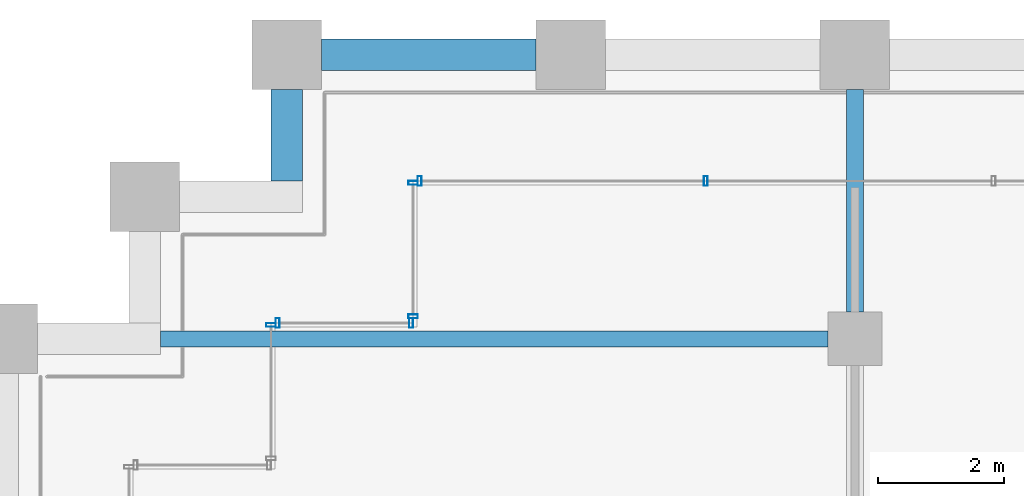
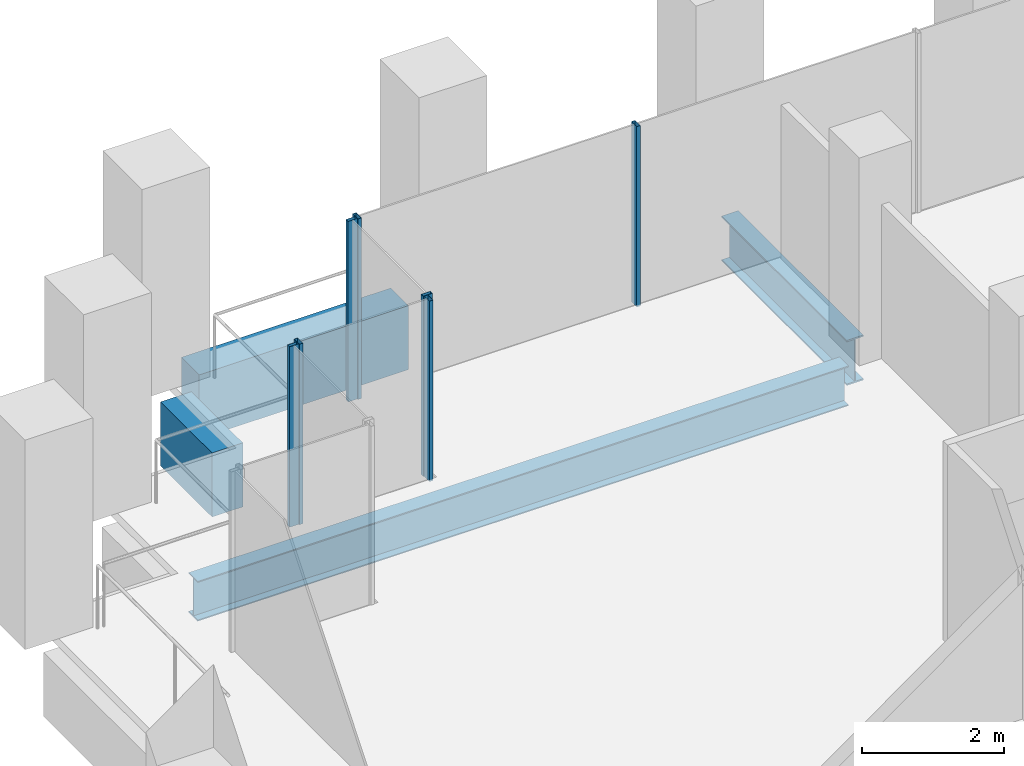
# One storey, part 26 of 56: 7 members, 4 beams, 4 elements without a shape of their own.
"""IFC4 building model written with IfcOpenShell, lengths in metres."""

from ifc_helpers import new_model, si_unit, direction, frame, origin, origin_2d, place, context, subcontext, project, spatial, rectangle, hollow_rectangle, i_section, extrude, material, material_profile, profile_set, type_object, element, aggregate, save


model = new_model("IFC4")

# Units and contexts
model_context = context("Model", 3, precision=1e-05, world=origin(), true_north=direction((0.0, 1.0)))
body_context = subcontext(model_context, "Body", "Model", "MODEL_VIEW")
ifc_project = project(units=[si_unit("LENGTHUNIT", "METRE"), si_unit("AREAUNIT", "SQUARE_METRE"), si_unit("VOLUMEUNIT", "CUBIC_METRE"), si_unit("PLANEANGLEUNIT", "RADIAN"), si_unit("MASSUNIT", "GRAM", prefix="KILO")], contexts=[model_context])

# Site, building, storey
site_placement = place(None, origin())
site = spatial("IfcSite", under=ifc_project, at=site_placement, CompositionType="ELEMENT")
building_placement = place(site_placement, origin())
building = spatial("IfcBuilding", under=site, at=building_placement, Name="Altepetl Exchange Towers", CompositionType="ELEMENT")
storey_placement = place(building_placement, frame((0.0, 0.0, 54.60009765625)))
storey = spatial("IfcBuildingStorey", under=building, at=storey_placement, Name="L12", CompositionType="ELEMENT", Elevation=54.60009765625)

# Beams
ifc_material_1 = material(Name="Steel S355", Category="steel")
ifc_material_profile_1 = material_profile(ifc_material_1, i_section(OverallWidth=0.25390625, OverallDepth=0.68408203125, WebThickness=0.012451171875, FlangeThickness=0.018798828125, at=origin_2d()), Name="W27X94")
ifc_profile_set_1 = profile_set([ifc_material_profile_1], Name="Steel S355")
beam_type_1 = type_object("IfcBeamType", Name="Floor beam W27X94", PredefinedType="BEAM", material=ifc_profile_set_1)
beam_1_placement = place(storey_placement, frame((29.5, 67.5, -0.4921875), z_axis=(1.0, 0.0, 0.0), x_axis=(0.0, 1.0, 0.0)))
element("IfcBeam", 1, at=beam_1_placement, inside=storey, type_object=beam_type_1, Name="bm:A:L12:023", PredefinedType="BEAM", context=body_context, shape_type="SweptSolid", body=[
    extrude(i_section(OverallWidth=0.25390625, OverallDepth=0.68408203125, WebThickness=0.012451171875, FlangeThickness=0.018798828125, at=origin_2d()), origin(), (0.0, 0.0, 1.0), 10.574951171875),
])
ifc_material_profile_2 = material_profile(ifc_material_1, i_section(OverallWidth=0.26806640625, OverallDepth=0.77392578125, WebThickness=0.015380859375, FlangeThickness=0.025390625, at=origin_2d()), Name="W30X132")
ifc_profile_set_2 = profile_set([ifc_material_profile_2], Name="Steel S355")
beam_type_2 = type_object("IfcBeamType", Name="Girder W30X132", PredefinedType="BEAM", material=ifc_profile_set_2)
beam_2_placement = place(storey_placement, frame((40.5, 71.449951171875, -0.537109375), z_axis=(0.0, -1.0, 0.0), x_axis=(1.0, 0.0, 0.0)))
element("IfcBeam", 2, at=beam_2_placement, inside=storey, type_object=beam_type_2, Name="gd:A:L12:003", PredefinedType="BEAM", context=body_context, shape_type="SweptSolid", body=[
    extrude(i_section(OverallWidth=0.26806640625, OverallDepth=0.77392578125, WebThickness=0.015380859375, FlangeThickness=0.025390625, at=origin_2d()), origin(), (0.0, 0.0, 1.0), 3.52490234375),
])

# Curtain wall, members
ifc_material_2 = material(Name="Aluminium 6063-T6 glazing", Category="aluminium")
curtain_wall_type = type_object("IfcCurtainWallType", Name="Loggia glazing system", PredefinedType="NOTDEFINED", material=ifc_material_2)
curtain_wall_1_placement = place(storey_placement, origin())
curtain_wall_1 = element("IfcCurtainWall", 3, at=curtain_wall_1_placement, inside=storey, type_object=curtain_wall_type, Name="CW1 run", PredefinedType="NOTDEFINED")
ifc_material_3 = material(Name="Aluminium 6063-T6", Category="aluminium")
ifc_material_profile_3 = material_profile(ifc_material_3, hollow_rectangle(XDim=0.06005859375, YDim=0.14990234375, WallThickness=0.0029296875, at=origin_2d()), Name="Mullion 60x150 aluminium")
ifc_profile_set_3 = profile_set([ifc_material_profile_3], Name="Aluminium 6063-T6")
member_type = type_object("IfcMemberType", Name="Mullion 60x150 aluminium", PredefinedType="MULLION", material=ifc_profile_set_3)
member_1_placement = place(storey_placement, frame((38.1357421875, 70.0, 0.0), z_axis=(0.0, 0.0, 1.0), x_axis=(-1.0, 0.0, 0.0)))
member_1 = element("IfcMember", 4, at=member_1_placement, type_object=member_type, Name="MU1 mullion", PredefinedType="MULLION", context=body_context, shape_type="SweptSolid", body=[
    extrude(hollow_rectangle(XDim=0.06005859375, YDim=0.14990234375, WallThickness=0.0029296875, at=origin_2d()), origin(), (0.0, 0.0, 1.0), 3.099853515625),
])
member_2_placement = place(storey_placement, frame((33.60498046875, 70.0, 0.0), z_axis=(0.0, 0.0, 1.0), x_axis=(-1.0, 0.0, 0.0)))
member_2 = element("IfcMember", 5, at=member_2_placement, type_object=member_type, Name="MU1 mullion", PredefinedType="MULLION", context=body_context, shape_type="SweptSolid", body=[
    extrude(hollow_rectangle(XDim=0.06005859375, YDim=0.14990234375, WallThickness=0.0029296875, at=origin_2d()), origin(), (0.0, 0.0, 1.0), 3.099853515625),
])
aggregate(curtain_wall_1, [member_1, member_2])

curtain_wall_2_placement = place(storey_placement, origin())
curtain_wall_2 = element("IfcCurtainWall", 6, at=curtain_wall_2_placement, inside=storey, type_object=curtain_wall_type, Name="CW1 run", PredefinedType="NOTDEFINED")
member_3_placement = place(storey_placement, frame((33.5, 69.969970703125, 0.0), z_axis=(0.0, 0.0, 1.0), x_axis=(0.0, -1.0, 0.0)))
member_3 = element("IfcMember", 7, at=member_3_placement, type_object=member_type, Name="MU1 mullion", PredefinedType="MULLION", context=body_context, shape_type="SweptSolid", body=[
    extrude(hollow_rectangle(XDim=0.06005859375, YDim=0.14990234375, WallThickness=0.0029296875, at=origin_2d()), origin(), (0.0, 0.0, 1.0), 3.099853515625),
])
member_4_placement = place(storey_placement, frame((33.5, 67.85498046875, 0.0), z_axis=(0.0, 0.0, 1.0), x_axis=(0.0, -1.0, 0.0)))
member_4 = element("IfcMember", 8, at=member_4_placement, type_object=member_type, Name="MU1 mullion", PredefinedType="MULLION", context=body_context, shape_type="SweptSolid", body=[
    extrude(hollow_rectangle(XDim=0.06005859375, YDim=0.14990234375, WallThickness=0.0029296875, at=origin_2d()), origin(), (0.0, 0.0, 1.0), 3.099853515625),
])
aggregate(curtain_wall_2, [member_3, member_4])

curtain_wall_3_placement = place(storey_placement, origin())
curtain_wall_3 = element("IfcCurtainWall", 9, at=curtain_wall_3_placement, inside=storey, type_object=curtain_wall_type, Name="CW1 run", PredefinedType="NOTDEFINED")
member_5_placement = place(storey_placement, frame((33.469970703125, 67.75, 0.0), z_axis=(0.0, 0.0, 1.0), x_axis=(-1.0, 0.0, 0.0)))
member_5 = element("IfcMember", 10, at=member_5_placement, type_object=member_type, Name="MU1 mullion", PredefinedType="MULLION", context=body_context, shape_type="SweptSolid", body=[
    extrude(hollow_rectangle(XDim=0.06005859375, YDim=0.14990234375, WallThickness=0.0029296875, at=origin_2d()), origin(), (0.0, 0.0, 1.0), 3.099853515625),
])
member_6_placement = place(storey_placement, frame((31.35498046875, 67.75, 0.0), z_axis=(0.0, 0.0, 1.0), x_axis=(-1.0, 0.0, 0.0)))
member_6 = element("IfcMember", 11, at=member_6_placement, type_object=member_type, Name="MU1 mullion", PredefinedType="MULLION", context=body_context, shape_type="SweptSolid", body=[
    extrude(hollow_rectangle(XDim=0.06005859375, YDim=0.14990234375, WallThickness=0.0029296875, at=origin_2d()), origin(), (0.0, 0.0, 1.0), 3.099853515625),
])
aggregate(curtain_wall_3, [member_5, member_6])

# Curtain wall, member
curtain_wall_4_placement = place(storey_placement, origin())
curtain_wall_4 = element("IfcCurtainWall", 12, at=curtain_wall_4_placement, inside=storey, type_object=curtain_wall_type, Name="CW1 run", PredefinedType="NOTDEFINED")
member_7_placement = place(storey_placement, frame((31.25, 67.719970703125, 0.0), z_axis=(0.0, 0.0, 1.0), x_axis=(0.0, -1.0, 0.0)))
member_7 = element("IfcMember", 13, at=member_7_placement, type_object=member_type, Name="MU1 mullion", PredefinedType="MULLION", context=body_context, shape_type="SweptSolid", body=[
    extrude(hollow_rectangle(XDim=0.06005859375, YDim=0.14990234375, WallThickness=0.0029296875, at=origin_2d()), origin(), (0.0, 0.0, 1.0), 3.099853515625),
])
aggregate(curtain_wall_4, [member_7])

# Beams
ifc_material_4 = material(Name="Concrete C50/60 precast with tezontle facing", Category="concrete")
ifc_material_profile_4 = material_profile(ifc_material_4, rectangle(XDim=0.5, YDim=1.10009765625, at=origin_2d()), Name="500 x 1100")
ifc_profile_set_4 = profile_set([ifc_material_profile_4], Name="Concrete C50/60 precast with tezontle facing")
beam_type_3 = type_object("IfcBeamType", Name="Spandrel beam 500x1100 tezontle", PredefinedType="SPANDREL", material=ifc_profile_set_4)
beam_3_placement = place(storey_placement, frame((35.449951171875, 72.0, -0.7001953125), z_axis=(-1.0, 0.0, 0.0), x_axis=(0.0, -1.0, 0.0)))
element("IfcBeam", 14, at=beam_3_placement, inside=storey, type_object=beam_type_3, Name="sp:A:L12:031", PredefinedType="SPANDREL", context=body_context, shape_type="SweptSolid", body=[
    extrude(rectangle(XDim=0.5, YDim=1.10009765625, at=origin_2d()), origin(), (0.0, 0.0, 1.0), 3.39990234375),
])
beam_4_placement = place(storey_placement, frame((31.5, 71.449951171875, -0.7001953125), z_axis=(0.0, -1.0, 0.0), x_axis=(1.0, 0.0, 0.0)))
element("IfcBeam", 15, at=beam_4_placement, inside=storey, type_object=beam_type_3, Name="sp:A:L12:032", PredefinedType="SPANDREL", context=body_context, shape_type="SweptSolid", body=[
    extrude(rectangle(XDim=0.5, YDim=1.10009765625, at=origin_2d()), origin(), (0.0, 0.0, 1.0), 1.449951171875),
])

save(model, "model.ifc")
